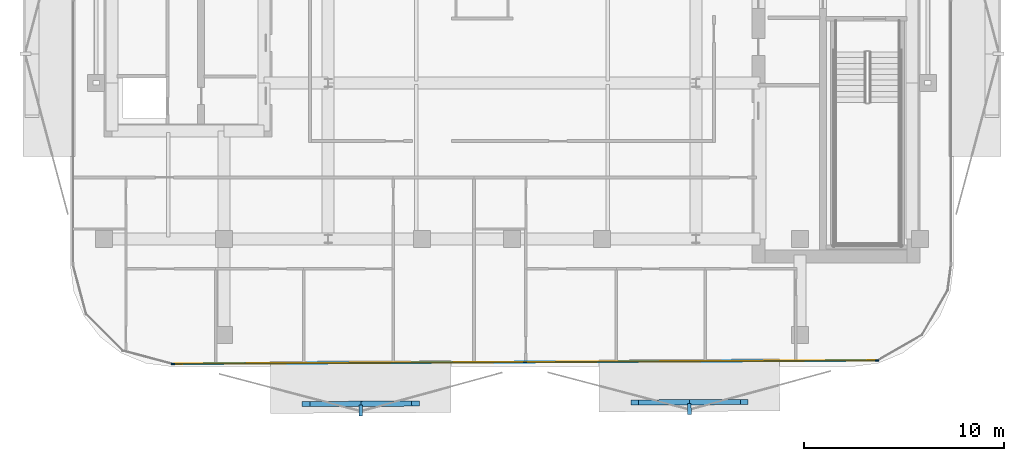
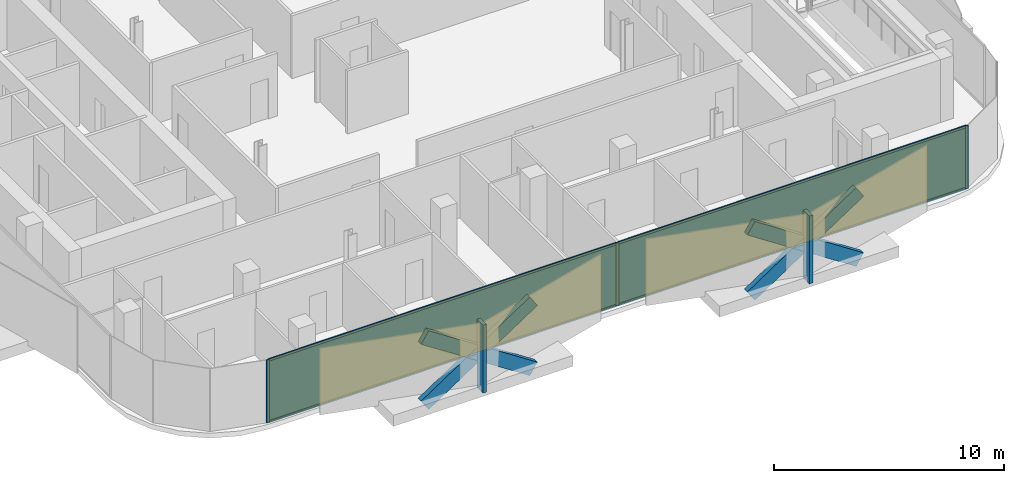
# One storey, part 8 of 15: 13 members, 2 plates, 1 curtain wall.
"""IFC4 building model written with IfcOpenShell, lengths in metres."""

from ifc_helpers import new_model, si_unit, direction, frame, frame_2d, origin, origin_2d, place, context, subcontext, project, spatial, rectangle, extrude, material, layer, layer_set, material_profile, profile_set, type_object, element, aggregate, save


model = new_model("IFC4")

# Units and contexts
model_context = context("Model", 3, precision=1e-05, world=origin(), true_north=direction((0.0, 1.0)))
body_context = subcontext(model_context, "Body", "Model", "MODEL_VIEW")
ifc_project = project(units=[si_unit("LENGTHUNIT", "METRE"), si_unit("AREAUNIT", "SQUARE_METRE"), si_unit("VOLUMEUNIT", "CUBIC_METRE"), si_unit("PLANEANGLEUNIT", "RADIAN"), si_unit("MASSUNIT", "GRAM", prefix="KILO")], contexts=[model_context])

# Member
ifc_material_1 = material(Name="Anodised Bronze Aluminium 6063-T6", Category="aluminium")
ifc_material_profile_1 = material_profile(ifc_material_1, rectangle(XDim=0.260009765625, YDim=0.699951171875, at=origin_2d()))
ifc_profile_set_1 = profile_set([ifc_material_profile_1], Name="Anodised Bronze Aluminium 6063-T6")
member_type_1 = type_object("IfcMemberType", Name="Bronze Diamond Solar-Screen Lattice Rib BDL-700", PredefinedType="MULLION", material=ifc_profile_set_1)
site_placement = place(None, origin())
building_placement = place(site_placement, origin())
storey_placement = place(building_placement, frame((0.0, 0.0, 226.0)))
member_1_placement = place(storey_placement, frame((11.6142578125, -26.761962890625, -0.1298828125), z_axis=(-0.835743155401, -0.0040219348, 0.549105820622), x_axis=(-0.007495687632, 0.999963566151, -0.00408424257)))
member_1 = element("IfcMember", 1, at=member_1_placement, type_object=member_type_1, Name="L52 Bronze Diamond Solar Screen Lattice Rib 345A", PredefinedType="MULLION", context=body_context, shape_type="SweptSolid", body=[
    extrude(rectangle(XDim=0.260009765625, YDim=0.699951171875, at=origin_2d()), origin(), (0.0, 0.0, 1.0), 6.555908203125),
])

member_2_placement = place(storey_placement, frame((6.13525390625, -26.788330078125, -0.1298828125), z_axis=(0.835743155401, 0.0040219348, 0.549105820622), x_axis=(0.007495687632, -0.999963566151, -0.00408424257)))
member_2 = element("IfcMember", 2, at=member_2_placement, type_object=member_type_1, Name="L52 Bronze Diamond Solar Screen Lattice Rib 345B", PredefinedType="MULLION", context=body_context, shape_type="SweptSolid", body=[
    extrude(rectangle(XDim=0.260009765625, YDim=0.699951171875, at=origin_2d()), origin(), (0.0, 0.0, 1.0), 6.555908203125),
])

member_3_placement = place(storey_placement, frame((-4.822998046875, -26.84130859375, -0.1298828125), z_axis=(-0.835743155401, -0.0040219348, 0.549105820622), x_axis=(-0.007495687632, 0.999963566151, -0.00408424257)))
member_3 = element("IfcMember", 3, at=member_3_placement, type_object=member_type_1, Name="L52 Bronze Diamond Solar Screen Lattice Rib 346A", PredefinedType="MULLION", context=body_context, shape_type="SweptSolid", body=[
    extrude(rectangle(XDim=0.260009765625, YDim=0.699951171875, at=origin_2d()), origin(), (0.0, 0.0, 1.0), 6.555908203125),
])

member_4_placement = place(storey_placement, frame((-10.302001953125, -26.86767578125, -0.1298828125), z_axis=(0.835743155401, 0.0040219348, 0.549105820622), x_axis=(0.007495687632, -0.999963566151, -0.00408424257)))
member_4 = element("IfcMember", 4, at=member_4_placement, type_object=member_type_1, Name="L52 Bronze Diamond Solar Screen Lattice Rib 346B", PredefinedType="MULLION", context=body_context, shape_type="SweptSolid", body=[
    extrude(rectangle(XDim=0.260009765625, YDim=0.699951171875, at=origin_2d()), origin(), (0.0, 0.0, 1.0), 6.555908203125),
])

ifc_material_2 = material(Name="Anodised Bronze Aluminium 6063-T6", Category="aluminium")
ifc_material_profile_2 = material_profile(ifc_material_2, rectangle(XDim=0.179931640625, YDim=0.5400390625, at=origin_2d()))
ifc_profile_set_2 = profile_set([ifc_material_profile_2], Name="Anodised Bronze Aluminium 6063-T6")
member_type_2 = type_object("IfcMemberType", Name="Bronze Solar-Screen Vertical Fold Fin BSF-540", PredefinedType="MULLION", material=ifc_profile_set_2)
member_5_placement = place(storey_placement, frame((8.87646484375, -27.115234375, -0.1298828125), z_axis=(0.0, 0.0, 1.0), x_axis=(-0.999988059021, -0.004886902454, 0.0)))
member_5 = element("IfcMember", 5, at=member_5_placement, type_object=member_type_2, Name="L52 Bronze Solar Screen Vertical Fin 345", PredefinedType="MULLION", context=body_context, shape_type="SweptSolid", body=[
    extrude(rectangle(XDim=0.179931640625, YDim=0.5400390625, at=origin_2d()), origin(), (0.0, 0.0, 1.0), 3.599853515625),
])

member_6_placement = place(storey_placement, frame((-7.560791015625, -27.194580078125, -0.1298828125), z_axis=(0.0, 0.0, 1.0), x_axis=(-0.999988059021, -0.004886902454, 0.0)))
member_6 = element("IfcMember", 6, at=member_6_placement, type_object=member_type_2, Name="L52 Bronze Solar Screen Vertical Fin 346", PredefinedType="MULLION", context=body_context, shape_type="SweptSolid", body=[
    extrude(rectangle(XDim=0.179931640625, YDim=0.5400390625, at=origin_2d()), origin(), (0.0, 0.0, 1.0), 3.599853515625),
])

ifc_material_3 = material(Name="Anodised Bronze Aluminium 6063-T6", Category="aluminium")
ifc_material_profile_3 = material_profile(ifc_material_3, rectangle(XDim=0.06005859375, YDim=0.159912109375, at=origin_2d()))
ifc_profile_set_3 = profile_set([ifc_material_profile_3], Name="Anodised Bronze Aluminium 6063-T6")
member_type_3 = type_object("IfcMemberType", Name="CW-Z4 Mullion 60x160", PredefinedType="MULLION", material=ifc_profile_set_3)
member_7_placement = place(storey_placement, frame((18.25341796875, -24.68994140625, 0.0), z_axis=(0.0, 0.0, 1.0), x_axis=(0.004824986425, -0.999988359685, 0.0)))
member_7 = element("IfcMember", 7, at=member_7_placement, type_object=member_type_3, Name="CW-Z4 mullion 1", PredefinedType="MULLION", context=body_context, shape_type="SweptSolid", body=[
    extrude(rectangle(XDim=0.06005859375, YDim=0.159912109375, at=origin_2d()), origin(), (0.0, 0.0, 1.0), 3.340087890625),
])

member_8_placement = place(storey_placement, frame((0.646240234375, -24.77490234375, 0.0), z_axis=(0.0, 0.0, 1.0), x_axis=(0.004824986425, -0.999988359685, 0.0)))
member_8 = element("IfcMember", 8, at=member_8_placement, type_object=member_type_3, Name="CW-Z4 mullion 2", PredefinedType="MULLION", context=body_context, shape_type="SweptSolid", body=[
    extrude(rectangle(XDim=0.06005859375, YDim=0.159912109375, at=origin_2d()), origin(), (0.0, 0.0, 1.0), 3.340087890625),
])

member_9_placement = place(storey_placement, frame((-16.960693359375, -24.85986328125, 0.0), z_axis=(0.0, 0.0, 1.0), x_axis=(0.004824986425, -0.999988359685, 0.0)))
member_9 = element("IfcMember", 9, at=member_9_placement, type_object=member_type_3, Name="CW-Z4 mullion 3", PredefinedType="MULLION", context=body_context, shape_type="SweptSolid", body=[
    extrude(rectangle(XDim=0.06005859375, YDim=0.159912109375, at=origin_2d()), origin(), (0.0, 0.0, 1.0), 3.340087890625),
])

ifc_material_4 = material(Name="Anodised Bronze Aluminium 6063-T6", Category="aluminium")
ifc_material_profile_4 = material_profile(ifc_material_4, rectangle(XDim=0.06005859375, YDim=0.125, at=origin_2d()))
ifc_profile_set_4 = profile_set([ifc_material_profile_4], Name="Anodised Bronze Aluminium 6063-T6")
member_type_4 = type_object("IfcMemberType", Name="CW-Z4 Transom 60x125", PredefinedType="USERDEFINED", material=ifc_profile_set_4)
member_10_placement = place(storey_placement, frame((18.223388671875, -24.690185546875, 0.030029296875), z_axis=(-0.999988412677, -0.004813991218, 0.0), x_axis=(0.004813991218, -0.999988412677, 0.0)))
member_10 = element("IfcMember", 10, at=member_10_placement, type_object=member_type_4, Name="CW-Z4 transom 1.1", ObjectType="TRANSOM", PredefinedType="USERDEFINED", context=body_context, shape_type="SweptSolid", body=[
    extrude(rectangle(XDim=0.06005859375, YDim=0.125, at=origin_2d()), origin(), (0.0, 0.0, 1.0), 17.54736328125),
])

member_11_placement = place(storey_placement, frame((18.223388671875, -24.690185546875, 3.31005859375), z_axis=(-0.999988412677, -0.004813991218, 0.0), x_axis=(0.004813991218, -0.999988412677, 0.0)))
member_11 = element("IfcMember", 11, at=member_11_placement, type_object=member_type_4, Name="CW-Z4 transom 1.2", ObjectType="TRANSOM", PredefinedType="USERDEFINED", context=body_context, shape_type="SweptSolid", body=[
    extrude(rectangle(XDim=0.06005859375, YDim=0.125, at=origin_2d()), origin(), (0.0, 0.0, 1.0), 17.54736328125),
])

member_12_placement = place(storey_placement, frame((0.616455078125, -24.775146484375, 0.030029296875), z_axis=(-0.999988413, -0.004813924241, 0.0), x_axis=(0.004813924241, -0.999988413, 0.0)))
member_12 = element("IfcMember", 12, at=member_12_placement, type_object=member_type_4, Name="CW-Z4 transom 2.1", ObjectType="TRANSOM", PredefinedType="USERDEFINED", context=body_context, shape_type="SweptSolid", body=[
    extrude(rectangle(XDim=0.06005859375, YDim=0.125, at=origin_2d()), origin(), (0.0, 0.0, 1.0), 17.547607421875),
])

member_13_placement = place(storey_placement, frame((0.616455078125, -24.775146484375, 3.31005859375), z_axis=(-0.999988413, -0.004813924241, 0.0), x_axis=(0.004813924241, -0.999988413, 0.0)))
member_13 = element("IfcMember", 13, at=member_13_placement, type_object=member_type_4, Name="CW-Z4 transom 2.2", ObjectType="TRANSOM", PredefinedType="USERDEFINED", context=body_context, shape_type="SweptSolid", body=[
    extrude(rectangle(XDim=0.06005859375, YDim=0.125, at=origin_2d()), origin(), (0.0, 0.0, 1.0), 17.547607421875),
])

# Plate
ifc_material_5 = material(Name="Low-E Solar Control Laminated Glass", Category="glass")
ifc_layer_1 = layer(ifc_material_5, 0.030029296875, Name="Low-E Solar Control Laminated Glass")
ifc_layer_set_1 = layer_set([ifc_layer_1], Name="Low-E Solar Control Laminated Glass")
plate_type = type_object("IfcPlateType", Name="CW-Z4 Low-E Double Glazed Panel 30mm", PredefinedType="CURTAIN_PANEL", material=ifc_layer_set_1)
plate_1_placement = place(storey_placement, frame((9.449951171875, -24.732421875, 0.06005859375), z_axis=(0.0, 0.0, 1.0), x_axis=(-0.999988359685, -0.004824986425, 0.0)))
plate_1 = element("IfcPlate", 14, at=plate_1_placement, type_object=plate_type, Name="CW-Z4 panel 1.1", PredefinedType="CURTAIN_PANEL", context=body_context, shape_type="SweptSolid", body=[
    extrude(rectangle(XDim=17.54736328125, YDim=0.030029296875, at=origin_2d()), origin(), (0.0, 0.0, 1.0), 3.219970703125),
])

plate_2_placement = place(storey_placement, frame((-8.1572265625, -24.8173828125, 0.06005859375), z_axis=(0.0, 0.0, 1.0), x_axis=(-0.999988359685, -0.004824986425, 0.0)))
plate_2 = element("IfcPlate", 15, at=plate_2_placement, type_object=plate_type, Name="CW-Z4 panel 2.1", PredefinedType="CURTAIN_PANEL", context=body_context, shape_type="SweptSolid", body=[
    extrude(rectangle(XDim=17.54736328125, YDim=0.030029296875, at=origin_2d()), origin(), (0.0, 0.0, 1.0), 3.219970703125),
])

# Site, building, storey
site = spatial("IfcSite", under=ifc_project, at=site_placement, CompositionType="ELEMENT")
building = spatial("IfcBuilding", under=site, at=building_placement, Name="Khairoan Windgate Tower", CompositionType="ELEMENT")
storey = spatial("IfcBuildingStorey", under=building, at=storey_placement, Name="L52", CompositionType="ELEMENT", Elevation=226.0)

# Curtain wall
ifc_material_6 = material(Name="Anodised Bronze Aluminium 6063-T6", Category="aluminium")
ifc_layer_2 = layer(ifc_material_6, 0.159912109375, Name="Anodised Bronze Aluminium 6063-T6")
ifc_layer_set_2 = layer_set([ifc_layer_2], Name="Anodised Bronze Aluminium 6063-T6")
curtain_wall_type = type_object("IfcCurtainWallType", Name="Sky Residence Unitised Curtain Wall CW-Z4", PredefinedType="NOTDEFINED", material=ifc_layer_set_2)
curtain_wall_placement = place(storey_placement, frame((18.283447265625, -24.689697265625, 0.0), z_axis=(0.0, 0.0, 1.0), x_axis=(-0.999988330836, -0.004830961808, 0.0)))
curtain_wall = element("IfcCurtainWall", 16, at=curtain_wall_placement, inside=storey, type_object=curtain_wall_type, Name="L52 Unitised Curtain Wall 1", PredefinedType="NOTDEFINED", context=body_context, shape_type="SweptSolid", body=[
    extrude(rectangle(XDim=35.274658203125, YDim=0.010009765625, at=frame_2d((17.63720703125, 0.0))), origin(), (0.0, 0.0, 1.0), 3.340087890625),
])

aggregate(curtain_wall, [member_7, member_8, member_9, member_10, member_11, plate_1, member_12, member_13, plate_2, member_1, member_2, member_5, member_3, member_4, member_6])

save(model, "model.ifc")
